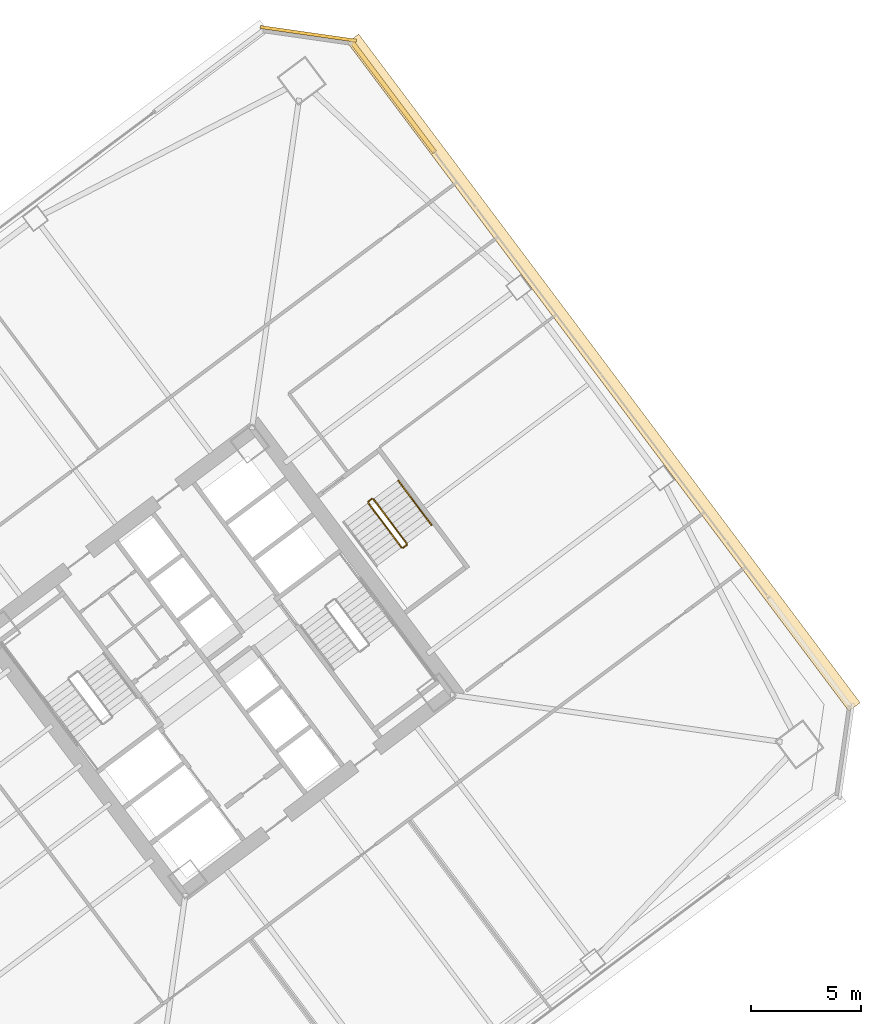
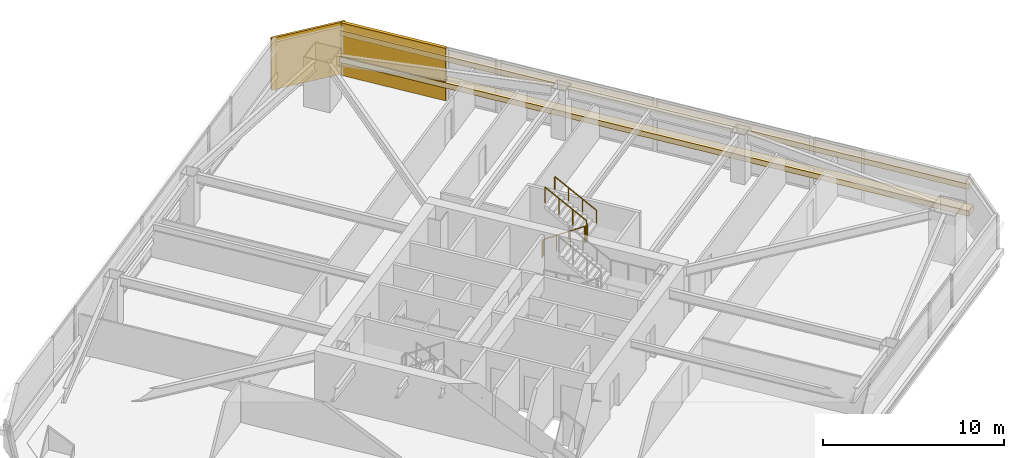
# One storey, part 46 of 46: 5 railings, 4 coverings.
"""IFC4 building model written with IfcOpenShell, lengths in metres."""

from ifc_helpers import new_model, si_unit, direction, frame, origin, origin_2d, place, context, subcontext, project, spatial, rectangle, extrude, material, layer, layer_set, type_object, element, save


model = new_model("IFC4")

# Units and contexts
model_context = context("Model", 3, precision=1e-05, world=origin(), true_north=direction((0.0, 1.0)))
body_context = subcontext(model_context, "Body", "Model", "MODEL_VIEW")
ifc_project = project(units=[si_unit("LENGTHUNIT", "METRE"), si_unit("AREAUNIT", "SQUARE_METRE"), si_unit("VOLUMEUNIT", "CUBIC_METRE"), si_unit("PLANEANGLEUNIT", "RADIAN"), si_unit("MASSUNIT", "GRAM", prefix="KILO")], contexts=[model_context])

# Site, building, storey
site_placement = place(None, origin())
site = spatial("IfcSite", under=ifc_project, at=site_placement, CompositionType="ELEMENT")
building_placement = place(site_placement, origin())
building = spatial("IfcBuilding", under=site, at=building_placement, Name="Tashvorn Skyway Center", CompositionType="ELEMENT")
storey_placement = place(building_placement, frame((0.0, 0.0, 60.10009765625)))
storey = spatial("IfcBuildingStorey", under=building, at=storey_placement, Name="L15", CompositionType="ELEMENT", Elevation=60.10009765625)

# Coverings
ifc_material_1 = material(Name="Precast concrete C40/50", Category="concrete")
ifc_layer_1 = layer(ifc_material_1, 0.199951171875)
ifc_layer_set_1 = layer_set([ifc_layer_1], Name="Precast concrete C40/50")
covering_type_1 = type_object("IfcCoveringType", Name="COV-BRACE-CLAD", PredefinedType="CLADDING", material=ifc_layer_set_1)
covering_1_placement = place(storey_placement, frame((121.904052734375, 57.5947265625, 0.0), z_axis=(0.0, 0.0, 1.0), x_axis=(0.600000004945, -0.799999996291, 0.0)))
element("IfcCovering", 1, at=covering_1_placement, inside=storey, type_object=covering_type_1, Name="Tower 2 L15 East Unitised Curtain Wall Mega-Brace Cladding Band 1", PredefinedType="CLADDING", context=body_context, shape_type="SweptSolid", body=[
    extrude(rectangle(XDim=6.29345703125, YDim=0.199951171875, at=origin_2d()), origin(), (0.0, 0.0, 1.0), 3.550048828125),
])
ifc_material_2 = material(Name="Perforated ceramic-coated bronze aluminium solar screen", Category="aluminium")
ifc_layer_2 = layer(ifc_material_2, 0.85009765625)
ifc_layer_set_2 = layer_set([ifc_layer_2], Name="Perforated ceramic-coated bronze aluminium solar screen")
covering_type_2 = type_object("IfcCoveringType", Name="COV-SOLAR-BAND", PredefinedType="CLADDING", material=ifc_layer_set_2)
for number, where, z_axis, x_axis, name in (
    (2, (131.4560546875, 45.092041015625, 0.919921875), (0.0, 0.0, 1.0), (0.600000004945, -0.799999996291, 0.0), "L15 Perforated Ceramic-Metal Solar Screen Louvre Band East 1"),
    (3, (131.4560546875, 45.092041015625, 2.7197265625), (0.0, 0.0, 1.0), (0.600000004945, -0.799999996291, 0.0), "L15 Perforated Ceramic-Metal Solar Screen Louvre Band East 2"),
):
    element("IfcCovering", number, at=place(storey_placement, frame(where, z_axis=z_axis, x_axis=x_axis)), inside=storey, type_object=covering_type_2, Name=name, PredefinedType="CLADDING", context=body_context, shape_type="SweptSolid", body=[
        extrude(rectangle(XDim=37.8798828125, YDim=0.639892578125, at=origin_2d()), origin(), (0.0, 0.0, 1.0), 0.360107421875),
    ])
ifc_layer_3 = layer(ifc_material_1, 0.35009765625)
ifc_layer_set_3 = layer_set([ifc_layer_3], Name="Precast concrete C40/50")
covering_type_3 = type_object("IfcCoveringType", Name="COV-STONE-TRIM", PredefinedType="CLADDING", material=ifc_layer_set_3)
covering_2_placement = place(storey_placement, frame((118.06396484375, 60.447998046875, 0.02001953125), z_axis=(0.0, 0.0, 1.0), x_axis=(0.989949494535, -0.141421350118, 0.0)))
element("IfcCovering", 4, at=covering_2_placement, inside=storey, type_object=covering_type_3, Name="Tower 2 L15 NE Mojave Limestone Corner Quoin", PredefinedType="CLADDING", context=body_context, shape_type="SweptSolid", body=[
    extrude(rectangle(XDim=4.402587890625, YDim=0.139892578125, at=origin_2d()), origin(), (0.0, 0.0, 1.0), 3.510009765625),
])

# Railings
ifc_material_3 = material(Name="Brushed stainless steel 316", Category="steel")
railing_type_1 = type_object("IfcRailingType", Name="RAIL-HAND-920", PredefinedType="HANDRAIL", material=ifc_material_3)
railing_1_placement = place(storey_placement, frame((123.64794921875, 38.18603515625, 1.952392578125)))
element("IfcRailing", 5, at=railing_1_placement, inside=storey, type_object=railing_type_1, Name="L15 ST-T2-3 stair handrail 2", PredefinedType="HANDRAIL", context=body_context, shape_type="SweptSolid", body=[
    extrude(rectangle(XDim=0.048095703125, YDim=0.048095703125, at=origin_2d()), frame((0.0, 0.0, 0.8759765625), z_axis=(-0.506768818287, 0.675664481285, 0.535409071218), x_axis=(-0.79998837352, -0.60001550166, 0.0)), (0.0, 0.0, 1.0), 2.983642578125),
    extrude(rectangle(XDim=0.0419921875, YDim=0.0419921875, at=origin_2d()), origin(), (0.0, 0.0, 1.0), 0.851806640625),
    extrude(rectangle(XDim=0.0419921875, YDim=0.0419921875, at=origin_2d()), frame((-0.50390625, 0.671875, 0.532470703125)), (0.0, 0.0, 1.0), 0.851806640625),
    extrude(rectangle(XDim=0.0419921875, YDim=0.0419921875, at=origin_2d()), frame((-1.008056640625, 1.343994140625, 1.06494140625)), (0.0, 0.0, 1.0), 0.851806640625),
    extrude(rectangle(XDim=0.0419921875, YDim=0.0419921875, at=origin_2d()), frame((-1.511962890625, 2.015869140625, 1.597412109375)), (0.0, 0.0, 1.0), 0.851806640625),
])
ifc_material_4 = material(Name="Painted galvanized steel S355", Category="steel")
railing_type_2 = type_object("IfcRailingType", Name="RAIL-STGUARD-1100", PredefinedType="GUARDRAIL", material=ifc_material_4)
railing_2_placement = place(storey_placement, frame((120.77587890625, 39.181884765625, 0.177490234375)))
element("IfcRailing", 6, at=railing_2_placement, inside=storey, type_object=railing_type_2, Name="L15 ST-T2-3 stair guard 1", PredefinedType="GUARDRAIL", context=body_context, shape_type="SweptSolid", body=[
    extrude(rectangle(XDim=0.048095703125, YDim=0.048095703125, at=origin_2d()), frame((0.0, 0.0, 1.076171875), z_axis=(0.506829628838, -0.67563646195, 0.535386868177), x_axis=(0.799941867976, 0.600077501544, 0.0)), (0.0, 0.0, 1.0), 2.983642578125),
    extrude(rectangle(XDim=0.0419921875, YDim=0.0419921875, at=origin_2d()), origin(), (0.0, 0.0, 1.0), 1.052001953125),
    extrude(rectangle(XDim=0.0419921875, YDim=0.0419921875, at=origin_2d()), frame((0.504150390625, -0.671875, 0.532470703125)), (0.0, 0.0, 1.0), 1.052001953125),
    extrude(rectangle(XDim=0.0419921875, YDim=0.0419921875, at=origin_2d()), frame((1.008056640625, -1.343994140625, 1.06494140625)), (0.0, 0.0, 1.0), 1.052001953125),
    extrude(rectangle(XDim=0.0419921875, YDim=0.0419921875, at=origin_2d()), frame((1.51220703125, -2.015869140625, 1.597412109375)), (0.0, 0.0, 1.0), 1.052001953125),
])
railing_3_placement = place(storey_placement, frame((122.35791015625, 37.156005859375, 1.77490234375)))
element("IfcRailing", 7, at=railing_3_placement, inside=storey, type_object=railing_type_2, Name="L15 ST-T2-3 stair guard 2", PredefinedType="GUARDRAIL", context=body_context, shape_type="SweptSolid", body=[
    extrude(rectangle(XDim=0.048095703125, YDim=0.048095703125, at=origin_2d()), frame((0.0, 0.0, 1.076171875), z_axis=(0.800585412921, 0.599218655098, 0.0), x_axis=(-0.599218655098, 0.800585412921, 0.0)), (0.0, 0.0, 1.0), 0.199951171875),
    extrude(rectangle(XDim=0.0419921875, YDim=0.0419921875, at=origin_2d()), origin(), (0.0, 0.0, 1.0), 1.052001953125),
    extrude(rectangle(XDim=0.0419921875, YDim=0.0419921875, at=origin_2d()), frame((0.16015625, 0.119873046875, 0.0)), (0.0, 0.0, 1.0), 1.052001953125),
])
railing_4_placement = place(storey_placement, frame((122.528076171875, 37.345947265625, 1.952392578125)))
element("IfcRailing", 8, at=railing_4_placement, inside=storey, type_object=railing_type_2, Name="L15 ST-T2-3 stair guard 3", PredefinedType="GUARDRAIL", context=body_context, shape_type="SweptSolid", body=[
    extrude(rectangle(XDim=0.048095703125, YDim=0.048095703125, at=origin_2d()), frame((0.0, 0.0, 1.076171875), z_axis=(-0.506740800098, 0.675708949977, 0.535379469569), x_axis=(-0.800023250257, -0.599968998406, 0.0)), (0.0, 0.0, 1.0), 2.983642578125),
    extrude(rectangle(XDim=0.0419921875, YDim=0.0419921875, at=origin_2d()), origin(), (0.0, 0.0, 1.0), 1.052001953125),
    extrude(rectangle(XDim=0.0419921875, YDim=0.0419921875, at=origin_2d()), frame((-0.50390625, 0.672119140625, 0.532470703125)), (0.0, 0.0, 1.0), 1.052001953125),
    extrude(rectangle(XDim=0.0419921875, YDim=0.0419921875, at=origin_2d()), frame((-1.008056640625, 1.343994140625, 1.06494140625)), (0.0, 0.0, 1.0), 1.052001953125),
    extrude(rectangle(XDim=0.0419921875, YDim=0.0419921875, at=origin_2d()), frame((-1.511962890625, 2.01611328125, 1.597412109375)), (0.0, 0.0, 1.0), 1.052001953125),
])
railing_5_placement = place(storey_placement, frame((120.785888671875, 39.251953125, 0.0)))
element("IfcRailing", 9, at=railing_5_placement, inside=storey, type_object=railing_type_2, Name="L15 ST-T2-3 stair guard 4", PredefinedType="GUARDRAIL", context=body_context, shape_type="SweptSolid", body=[
    extrude(rectangle(XDim=0.048095703125, YDim=0.048095703125, at=origin_2d()), frame((0.0, 0.0, 1.076171875), z_axis=(0.8, 0.6, 0.0), x_axis=(-0.6, 0.8, 0.0)), (0.0, 0.0, 1.0), 0.2001953125),
    extrude(rectangle(XDim=0.0419921875, YDim=0.0419921875, at=origin_2d()), origin(), (0.0, 0.0, 1.0), 1.052001953125),
    extrude(rectangle(XDim=0.0419921875, YDim=0.0419921875, at=origin_2d()), frame((0.16015625, 0.1201171875, 0.0)), (0.0, 0.0, 1.0), 1.052001953125),
])

save(model, "model.ifc")
